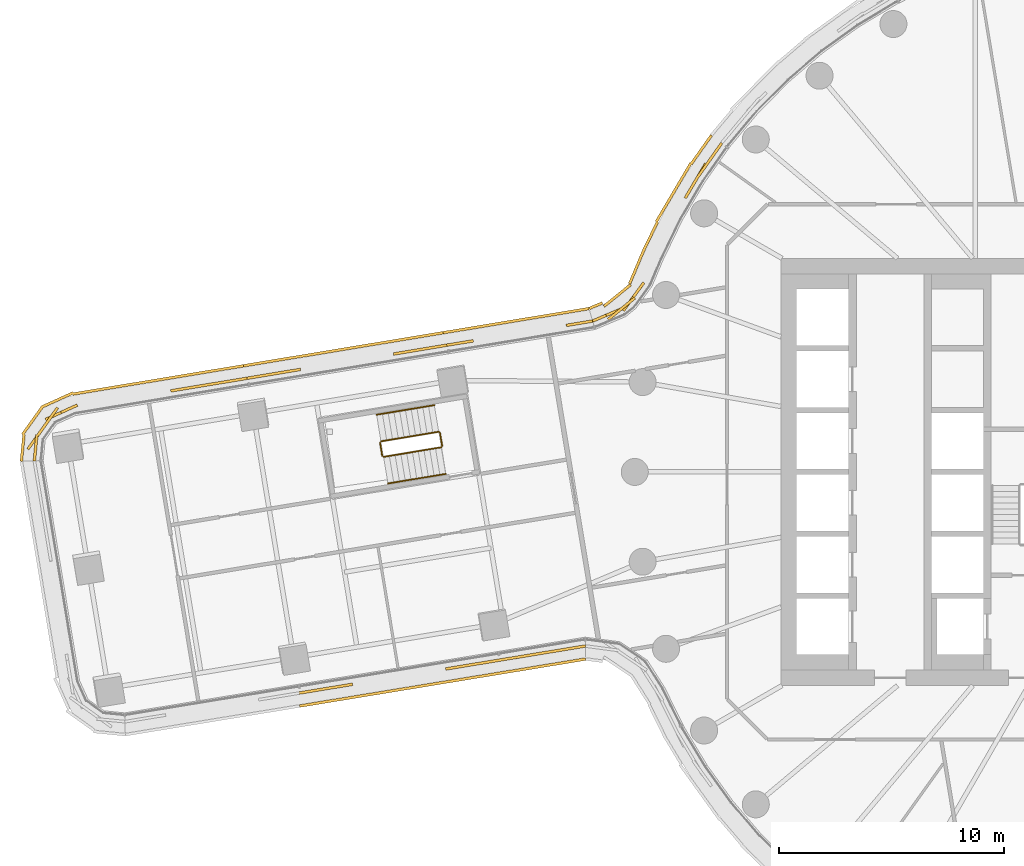
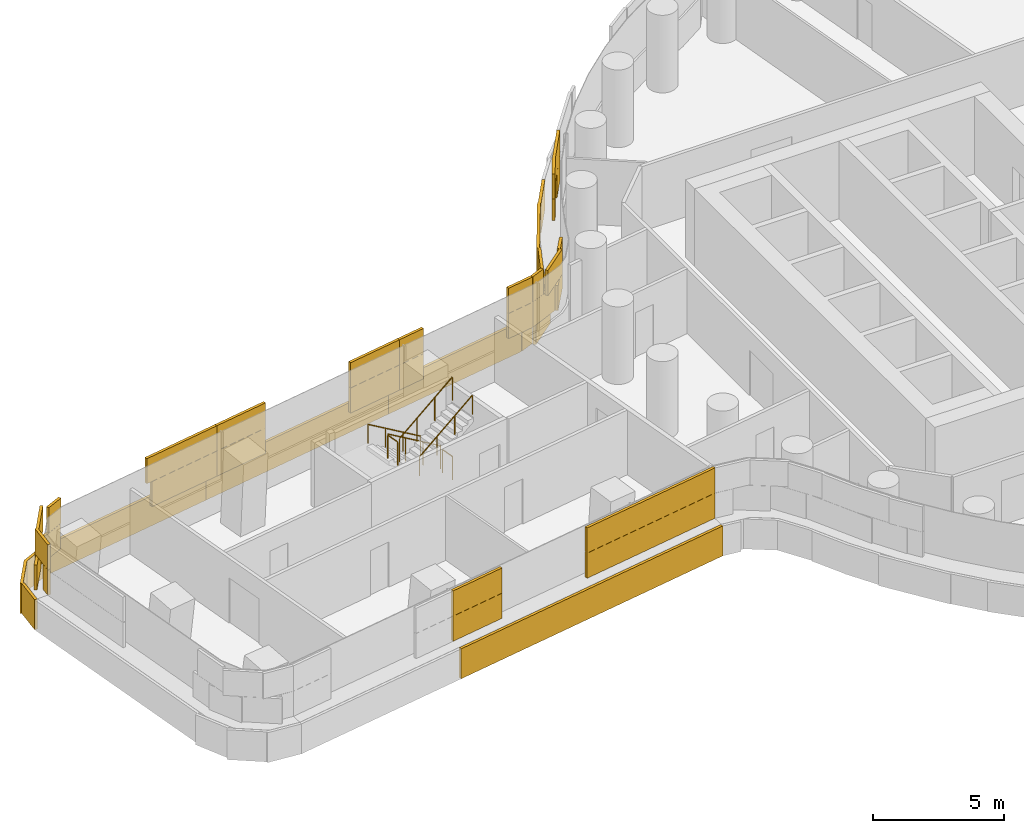
# One storey, part 28 of 32: 6 railings, 5 coverings.
"""IFC4 building model written with IfcOpenShell, lengths in metres."""

from ifc_helpers import new_model, si_unit, direction, frame, origin, origin_2d, place, context, subcontext, project, spatial, rectangle, circle, extrude, material, layer, layer_set, type_object, element, save


model = new_model("IFC4")

# Units and contexts
model_context = context("Model", 3, precision=1e-05, world=origin(), true_north=direction((0.0, 1.0)))
body_context = subcontext(model_context, "Body", "Model", "MODEL_VIEW")
ifc_project = project(units=[si_unit("LENGTHUNIT", "METRE"), si_unit("AREAUNIT", "SQUARE_METRE"), si_unit("VOLUMEUNIT", "CUBIC_METRE"), si_unit("PLANEANGLEUNIT", "RADIAN"), si_unit("MASSUNIT", "GRAM", prefix="KILO")], contexts=[model_context])

# Site, building, storey
site_placement = place(None, origin())
site = spatial("IfcSite", under=ifc_project, at=site_placement, CompositionType="ELEMENT")
building_placement = place(site_placement, origin())
building = spatial("IfcBuilding", under=site, at=building_placement, Name="Tamarind Cross Interchange Tower", CompositionType="ELEMENT")
storey_placement = place(building_placement, frame((0.0, 0.0, 67.75)))
storey = spatial("IfcBuildingStorey", under=building, at=storey_placement, Name="L15", CompositionType="ELEMENT", Elevation=67.75)

# Railings
ifc_material_1 = material(Name="Stair guard")
railing_type_1 = type_object("IfcRailingType", Name="Stair guard", PredefinedType="GUARDRAIL", material=ifc_material_1)
railing_1_placement = place(storey_placement, frame((-31.722412109375, 1.78564453125, 0.17041015625)))
element("IfcRailing", 1, at=railing_1_placement, inside=storey, type_object=railing_type_1, Name="L15 ST5 stair guard 1", PredefinedType="GUARDRAIL", context=body_context, shape_type="SweptSolid", body=[
    extrude(circle(Radius=0.02392578125, at=origin_2d()), frame((0.0, 0.0, 1.076171875), z_axis=(-0.82504245151, -0.136643238685, 0.548300627874), x_axis=(0.163393869779, -0.986560917186, 0.0)), (0.0, 0.0, 1.0), 3.10888671875),
    extrude(circle(Radius=0.02099609375, at=origin_2d()), origin(), (0.0, 0.0, 1.0), 1.052001953125),
    extrude(circle(Radius=0.02099609375, at=origin_2d()), frame((-0.85498046875, -0.1416015625, 0.568115234375)), (0.0, 0.0, 1.0), 1.052001953125),
    extrude(circle(Radius=0.02099609375, at=origin_2d()), frame((-1.7099609375, -0.283203125, 1.136474609375)), (0.0, 0.0, 1.0), 1.052001953125),
    extrude(circle(Radius=0.02099609375, at=origin_2d()), frame((-2.56494140625, -0.4248046875, 1.70458984375)), (0.0, 0.0, 1.0), 1.052001953125),
])
railing_2_placement = place(storey_placement, frame((-34.32861328125, 1.30322265625, 1.875)))
element("IfcRailing", 2, at=railing_2_placement, inside=storey, type_object=railing_type_1, Name="L15 ST5 stair guard 2", PredefinedType="GUARDRAIL", context=body_context, shape_type="SweptSolid", body=[
    extrude(circle(Radius=0.02392578125, at=origin_2d()), frame((0.0, 0.0, 1.076171875), z_axis=(0.163606968355, -0.986525600228, 0.0), x_axis=(0.986525600228, 0.163606968355, 0.0)), (0.0, 0.0, 1.0), 0.599853515625),
    extrude(circle(Radius=0.02099609375, at=origin_2d()), origin(), (0.0, 0.0, 1.0), 1.052001953125),
    extrude(circle(Radius=0.02099609375, at=origin_2d()), frame((0.09814453125, -0.591796875, 0.0)), (0.0, 0.0, 1.0), 1.052001953125),
])
railing_3_placement = place(storey_placement, frame((-34.173095703125, 0.670166015625, 2.04541015625)))
element("IfcRailing", 3, at=railing_3_placement, inside=storey, type_object=railing_type_1, Name="L15 ST5 stair guard 3", PredefinedType="GUARDRAIL", context=body_context, shape_type="SweptSolid", body=[
    extrude(circle(Radius=0.02392578125, at=origin_2d()), frame((0.0, 0.0, 1.076171875), z_axis=(0.825067524282, 0.136634385862, 0.548265104648), x_axis=(-0.163378733941, 0.986563423859, 0.0)), (0.0, 0.0, 1.0), 3.109130859375),
    extrude(circle(Radius=0.02099609375, at=origin_2d()), origin(), (0.0, 0.0, 1.0), 1.052001953125),
    extrude(circle(Radius=0.02099609375, at=origin_2d()), frame((0.85498046875, 0.1416015625, 0.568115234375)), (0.0, 0.0, 1.0), 1.052001953125),
    extrude(circle(Radius=0.02099609375, at=origin_2d()), frame((1.710205078125, 0.283203125, 1.136474609375)), (0.0, 0.0, 1.0), 1.052001953125),
    extrude(circle(Radius=0.02099609375, at=origin_2d()), frame((2.565185546875, 0.4248046875, 1.70458984375)), (0.0, 0.0, 1.0), 1.052001953125),
])
railing_4_placement = place(storey_placement, frame((-31.664794921875, 1.744384765625, 0.0)))
element("IfcRailing", 4, at=railing_4_placement, inside=storey, type_object=railing_type_1, Name="L15 ST5 stair guard 4", PredefinedType="GUARDRAIL", context=body_context, shape_type="SweptSolid", body=[
    extrude(circle(Radius=0.02392578125, at=origin_2d()), frame((0.0, 0.0, 1.076171875), z_axis=(0.163145328408, -0.986602048355, 0.0), x_axis=(0.986602048355, 0.163145328408, 0.0)), (0.0, 0.0, 1.0), 0.60009765625),
    extrude(circle(Radius=0.02099609375, at=origin_2d()), origin(), (0.0, 0.0, 1.0), 1.052001953125),
    extrude(circle(Radius=0.02099609375, at=origin_2d()), frame((0.097900390625, -0.592041015625, 0.0)), (0.0, 0.0, 1.0), 1.052001953125),
])
ifc_material_2 = material(Name="Stair handrail")
railing_type_2 = type_object("IfcRailingType", Name="Stair handrail", PredefinedType="HANDRAIL", material=ifc_material_2)
railing_5_placement = place(storey_placement, frame((-31.91845703125, 2.969482421875, 0.17041015625)))
element("IfcRailing", 5, at=railing_5_placement, inside=storey, type_object=railing_type_2, Name="L15 ST5 stair handrail 1", PredefinedType="HANDRAIL", context=body_context, shape_type="SweptSolid", body=[
    extrude(circle(Radius=0.02392578125, at=origin_2d()), frame((0.0, 0.0, 0.8759765625), z_axis=(-0.82504245151, -0.136643238685, 0.548300627874), x_axis=(0.163393869779, -0.986560917186, 0.0)), (0.0, 0.0, 1.0), 3.10888671875),
    extrude(circle(Radius=0.02099609375, at=origin_2d()), origin(), (0.0, 0.0, 1.0), 0.851806640625),
    extrude(circle(Radius=0.02099609375, at=origin_2d()), frame((-0.85498046875, -0.1416015625, 0.568115234375)), (0.0, 0.0, 1.0), 0.851806640625),
    extrude(circle(Radius=0.02099609375, at=origin_2d()), frame((-1.7099609375, -0.283203125, 1.136474609375)), (0.0, 0.0, 1.0), 0.851806640625),
    extrude(circle(Radius=0.02099609375, at=origin_2d()), frame((-2.56494140625, -0.4248046875, 1.70458984375)), (0.0, 0.0, 1.0), 0.851806640625),
])
railing_6_placement = place(storey_placement, frame((-33.97705078125, -0.513671875, 2.04541015625)))
element("IfcRailing", 6, at=railing_6_placement, inside=storey, type_object=railing_type_2, Name="L15 ST5 stair handrail 2", PredefinedType="HANDRAIL", context=body_context, shape_type="SweptSolid", body=[
    extrude(circle(Radius=0.02392578125, at=origin_2d()), frame((0.0, 0.0, 0.8759765625), z_axis=(0.825067524282, 0.136634385862, 0.548265104648), x_axis=(-0.163378733941, 0.986563423859, 0.0)), (0.0, 0.0, 1.0), 3.109130859375),
    extrude(circle(Radius=0.02099609375, at=origin_2d()), origin(), (0.0, 0.0, 1.0), 0.851806640625),
    extrude(circle(Radius=0.02099609375, at=origin_2d()), frame((0.85498046875, 0.1416015625, 0.568115234375)), (0.0, 0.0, 1.0), 0.851806640625),
    extrude(circle(Radius=0.02099609375, at=origin_2d()), frame((1.710205078125, 0.283203125, 1.136474609375)), (0.0, 0.0, 1.0), 0.851806640625),
    extrude(circle(Radius=0.02099609375, at=origin_2d()), frame((2.565185546875, 0.4248046875, 1.70458984375)), (0.0, 0.0, 1.0), 0.851806640625),
])

# Coverings
ifc_material_3 = material(Name="Terracotta", Category="masonry")
ifc_layer = layer(ifc_material_3, 0.1201171875)
ifc_layer_set = layer_set([ifc_layer], Name="Terracotta")
covering_type = type_object("IfcCoveringType", Name="Terracotta baguette screen unit", PredefinedType="MOLDING", material=ifc_layer_set)
covering_1_placement = place(storey_placement, origin())
element("IfcCovering", 7, at=covering_1_placement, inside=storey, type_object=covering_type, Name="SCR-L15-02-01", PredefinedType="MOLDING", context=body_context, shape_type="SweptSolid", body=[
    extrude(rectangle(XDim=1.171875, YDim=0.1201171875, at=origin_2d()), frame((-19.4716796875, 14.1455078125, 1.404052734375), z_axis=(0.0, 0.0, 1.0), x_axis=(-0.577568978284, -0.816341886298, 0.0)), (0.0, 0.0, 1.0), 1.1669921875),
    extrude(rectangle(XDim=1.52001953125, YDim=0.1201171875, at=origin_2d()), frame((-20.238037109375, 13.057373046875, 1.404052734375), z_axis=(0.0, 0.0, 1.0), x_axis=(-0.508183308752, -0.861248933065, 0.0)), (0.0, 0.0, 1.0), 1.1669921875),
    extrude(rectangle(XDim=1.52001953125, YDim=0.1201171875, at=origin_2d()), frame((-23.063232421875, 7.782958984375, 1.404052734375), z_axis=(0.0, 0.0, 1.0), x_axis=(-0.58970450953, -0.807619088086, 0.0)), (0.0, 0.0, 1.0), 1.1669921875),
    extrude(rectangle(XDim=1.40771484375, YDim=0.1201171875, at=origin_2d()), frame((-24.23193359375, 6.98193359375, 1.404052734375), z_axis=(0.0, 0.0, 1.0), x_axis=(-0.921404179617, -0.388605632724, 0.0)), (0.0, 0.0, 1.0), 1.1669921875),
    extrude(rectangle(XDim=0.421875, YDim=0.1201171875, at=origin_2d()), frame((-19.255126953125, 14.451416015625, 2.5791015625), z_axis=(0.0, 0.0, 1.0), x_axis=(-0.577568978284, -0.816341886298, 0.0)), (0.0, 0.0, 1.0), 1.1669921875),
    extrude(rectangle(XDim=1.52001953125, YDim=0.1201171875, at=origin_2d()), frame((-19.80712890625, 13.671142578125, 2.5791015625), z_axis=(0.0, 0.0, 1.0), x_axis=(-0.577568978284, -0.816341886298, 0.0)), (0.0, 0.0, 1.0), 1.1669921875),
    extrude(rectangle(XDim=1.02783203125, YDim=0.1201171875, at=origin_2d()), frame((-20.49658203125, 12.618896484375, 2.5791015625), z_axis=(0.0, 0.0, 1.0), x_axis=(-0.508183308752, -0.861248933065, 0.0)), (0.0, 0.0, 1.0), 1.1669921875),
    extrude(rectangle(XDim=0.7919921875, YDim=0.1201171875, at=origin_2d()), frame((-22.832763671875, 8.098876953125, 2.5791015625), z_axis=(0.0, 0.0, 1.0), x_axis=(-0.58970450953, -0.807619088086, 0.0)), (0.0, 0.0, 1.0), 1.1669921875),
    extrude(rectangle(XDim=1.52001953125, YDim=0.1201171875, at=origin_2d()), frame((-23.591064453125, 7.258544921875, 2.5791015625), z_axis=(0.0, 0.0, 1.0), x_axis=(-0.776665689347, -0.629913015417, 0.0)), (0.0, 0.0, 1.0), 1.1669921875),
    extrude(rectangle(XDim=0.65771484375, YDim=0.1201171875, at=origin_2d()), frame((-24.577392578125, 6.836181640625, 2.5791015625), z_axis=(0.0, 0.0, 1.0), x_axis=(-0.921404179617, -0.388605632724, 0.0)), (0.0, 0.0, 1.0), 1.1669921875),
    extrude(rectangle(XDim=0.06396484375, YDim=0.1201171875, at=origin_2d()), frame((-19.61083984375, 14.9423828125, 0.00390625), z_axis=(0.0, 0.0, 1.0), x_axis=(-0.577568978284, -0.816341886298, 0.0)), (0.0, 0.0, 1.0), 1.39208984375),
    extrude(rectangle(XDim=1.52001953125, YDim=0.1201171875, at=origin_2d()), frame((-20.056884765625, 14.31201171875, 0.00390625), z_axis=(0.0, 0.0, 1.0), x_axis=(-0.577568978284, -0.816341886298, 0.0)), (0.0, 0.0, 1.0), 1.39208984375),
    extrude(rectangle(XDim=1.52001953125, YDim=0.1201171875, at=origin_2d()), frame((-20.896728515625, 13.070556640625, 0.00390625), z_axis=(0.0, 0.0, 1.0), x_axis=(-0.508183308752, -0.861248933065, 0.0)), (0.0, 0.0, 1.0), 1.39208984375),
    extrude(rectangle(XDim=1.52001953125, YDim=0.1201171875, at=origin_2d()), frame((-21.658935546875, 11.778564453125, 0.00390625), z_axis=(0.0, 0.0, 1.0), x_axis=(-0.508183308752, -0.861248933065, 0.0)), (0.0, 0.0, 1.0), 1.39208984375),
    extrude(rectangle(XDim=1.52001953125, YDim=0.1201171875, at=origin_2d()), frame((-22.323486328125, 10.434326171875, 0.00390625), z_axis=(0.0, 0.0, 1.0), x_axis=(-0.435326231914, -0.900272776334, 0.0)), (0.0, 0.0, 1.0), 1.39208984375),
    extrude(rectangle(XDim=1.52001953125, YDim=0.1201171875, at=origin_2d()), frame((-22.938232421875, 9.066650390625, 0.00390625), z_axis=(0.0, 0.0, 1.0), x_axis=(-0.388422416362, -0.921481430343, 0.0)), (0.0, 0.0, 1.0), 1.39208984375),
    extrude(rectangle(XDim=1.52001953125, YDim=0.1201171875, at=origin_2d()), frame((-23.78125, 7.84326171875, 0.00390625), z_axis=(0.0, 0.0, 1.0), x_axis=(-0.776665689347, -0.629913015417, 0.0)), (0.0, 0.0, 1.0), 1.39208984375),
    extrude(rectangle(XDim=0.647705078125, YDim=0.1201171875, at=origin_2d()), frame((-24.73828125, 7.391357421875, 0.00390625), z_axis=(0.0, 0.0, 1.0), x_axis=(-0.921404179617, -0.388605632724, 0.0)), (0.0, 0.0, 1.0), 1.39208984375),
])
covering_2_placement = place(storey_placement, origin())
element("IfcCovering", 8, at=covering_2_placement, inside=storey, type_object=covering_type, Name="SCR-L15-03-00", PredefinedType="MOLDING", context=body_context, shape_type="SweptSolid", body=[
    extrude(rectangle(XDim=0.760009765625, YDim=0.1201171875, at=origin_2d()), frame((-25.245849609375, 6.64892578125, 1.404052734375), z_axis=(0.0, 0.0, 1.0), x_axis=(-0.986563038226, -0.163381062571, 0.0)), (0.0, 0.0, 1.0), 1.1669921875),
    extrude(rectangle(XDim=0.445068359375, YDim=0.1201171875, at=origin_2d()), frame((-25.830322265625, 6.55224609375, 1.404052734375), z_axis=(0.0, 0.0, 1.0), x_axis=(-0.986563038226, -0.163381062571, 0.0)), (0.0, 0.0, 1.0), 1.1669921875),
    extrude(rectangle(XDim=1.18505859375, YDim=0.1201171875, at=origin_2d()), frame((-30.773193359375, 5.733642578125, 1.404052734375), z_axis=(0.0, 0.0, 1.0), x_axis=(-0.986563038226, -0.163381062571, 0.0)), (0.0, 0.0, 1.0), 1.1669921875),
    extrude(rectangle(XDim=1.18505859375, YDim=0.1201171875, at=origin_2d()), frame((-25.46044921875, 6.613525390625, 2.5791015625), z_axis=(0.0, 0.0, 1.0), x_axis=(-0.986563038226, -0.163381062571, 0.0)), (0.0, 0.0, 1.0), 1.1669921875),
    extrude(rectangle(XDim=0.625, YDim=0.1201171875, at=origin_2d()), frame((-30.491943359375, 5.7802734375, 2.5791015625), z_axis=(0.0, 0.0, 1.0), x_axis=(-0.986563038226, -0.163381062571, 0.0)), (0.0, 0.0, 1.0), 1.1669921875),
    extrude(rectangle(XDim=0.579833984375, YDim=0.1201171875, at=origin_2d()), frame((-31.076416015625, 5.683349609375, 2.5791015625), z_axis=(0.0, 0.0, 1.0), x_axis=(-0.986563038226, -0.163381062571, 0.0)), (0.0, 0.0, 1.0), 1.1669921875),
    extrude(rectangle(XDim=0.760009765625, YDim=0.1201171875, at=origin_2d()), frame((-25.411376953125, 7.203369140625, 0.00390625), z_axis=(0.0, 0.0, 1.0), x_axis=(-0.986563038226, -0.163381062571, 0.0)), (0.0, 0.0, 1.0), 1.39208984375),
    extrude(rectangle(XDim=1.52001953125, YDim=0.1201171875, at=origin_2d()), frame((-26.516357421875, 7.0205078125, 0.00390625), z_axis=(0.0, 0.0, 1.0), x_axis=(-0.986563038226, -0.163381062571, 0.0)), (0.0, 0.0, 1.0), 1.39208984375),
    extrude(rectangle(XDim=1.52001953125, YDim=0.1201171875, at=origin_2d()), frame((-27.996337890625, 6.775390625, 0.00390625), z_axis=(0.0, 0.0, 1.0), x_axis=(-0.986563038226, -0.163381062571, 0.0)), (0.0, 0.0, 1.0), 1.39208984375),
    extrude(rectangle(XDim=1.52001953125, YDim=0.1201171875, at=origin_2d()), frame((-29.47607421875, 6.5302734375, 0.00390625), z_axis=(0.0, 0.0, 1.0), x_axis=(-0.986563038226, -0.163381062571, 0.0)), (0.0, 0.0, 1.0), 1.39208984375),
    extrude(rectangle(XDim=1.33203125, YDim=0.1201171875, at=origin_2d()), frame((-30.86328125, 6.300537109375, 0.00390625), z_axis=(0.0, 0.0, 1.0), x_axis=(-0.986563038226, -0.163381062571, 0.0)), (0.0, 0.0, 1.0), 1.39208984375),
])
covering_3_placement = place(storey_placement, origin())
element("IfcCovering", 9, at=covering_3_placement, inside=storey, type_object=covering_type, Name="SCR-L15-03-01", PredefinedType="MOLDING", context=body_context, shape_type="SweptSolid", body=[
    extrude(rectangle(XDim=0.18994140625, YDim=0.1201171875, at=origin_2d()), frame((-31.446533203125, 5.6220703125, 1.404052734375), z_axis=(0.0, 0.0, 1.0), x_axis=(-0.986563038226, -0.163381062571, 0.0)), (0.0, 0.0, 1.0), 1.1669921875),
    extrude(rectangle(XDim=1.52001953125, YDim=0.1201171875, at=origin_2d()), frame((-32.275146484375, 5.48486328125, 1.404052734375), z_axis=(0.0, 0.0, 1.0), x_axis=(-0.986563038226, -0.163381062571, 0.0)), (0.0, 0.0, 1.0), 1.1669921875),
    extrude(rectangle(XDim=0.730224609375, YDim=0.1201171875, at=origin_2d()), frame((-33.370361328125, 5.303466796875, 1.404052734375), z_axis=(0.0, 0.0, 1.0), x_axis=(-0.986563038226, -0.163381062571, 0.0)), (0.0, 0.0, 1.0), 1.1669921875),
    extrude(rectangle(XDim=1.08984375, YDim=0.1201171875, at=origin_2d()), frame((-38.40185546875, 4.47021484375, 1.404052734375), z_axis=(0.0, 0.0, 1.0), x_axis=(-0.986563038226, -0.163381062571, 0.0)), (0.0, 0.0, 1.0), 1.1669921875),
    extrude(rectangle(XDim=1.330322265625, YDim=0.1201171875, at=origin_2d()), frame((-39.585693359375, 4.274169921875, 1.404052734375), z_axis=(0.0, 0.0, 1.0), x_axis=(-0.986563038226, -0.163381062571, 0.0)), (0.0, 0.0, 1.0), 1.1669921875),
    extrude(rectangle(XDim=0.93994140625, YDim=0.1201171875, at=origin_2d()), frame((-31.81640625, 5.560791015625, 2.5791015625), z_axis=(0.0, 0.0, 1.0), x_axis=(-0.986563038226, -0.163381062571, 0.0)), (0.0, 0.0, 1.0), 1.1669921875),
    extrude(rectangle(XDim=1.480224609375, YDim=0.1201171875, at=origin_2d()), frame((-33.00048828125, 5.36474609375, 2.5791015625), z_axis=(0.0, 0.0, 1.0), x_axis=(-0.986563038226, -0.163381062571, 0.0)), (0.0, 0.0, 1.0), 1.1669921875),
    extrude(rectangle(XDim=0.33984375, YDim=0.1201171875, at=origin_2d()), frame((-38.031982421875, 4.531494140625, 2.5791015625), z_axis=(0.0, 0.0, 1.0), x_axis=(-0.986563038226, -0.163381062571, 0.0)), (0.0, 0.0, 1.0), 1.1669921875),
    extrude(rectangle(XDim=1.52001953125, YDim=0.1201171875, at=origin_2d()), frame((-38.9345703125, 4.382080078125, 2.5791015625), z_axis=(0.0, 0.0, 1.0), x_axis=(-0.986563038226, -0.163381062571, 0.0)), (0.0, 0.0, 1.0), 1.1669921875),
    extrude(rectangle(XDim=0.580322265625, YDim=0.1201171875, at=origin_2d()), frame((-39.955810546875, 4.212890625, 2.5791015625), z_axis=(0.0, 0.0, 1.0), x_axis=(-0.986563038226, -0.163381062571, 0.0)), (0.0, 0.0, 1.0), 1.1669921875),
    extrude(rectangle(XDim=0.18798828125, YDim=0.1201171875, at=origin_2d()), frame((-31.613037109375, 6.176513671875, 0.00390625), z_axis=(0.0, 0.0, 1.0), x_axis=(-0.986563038226, -0.163381062571, 0.0)), (0.0, 0.0, 1.0), 1.39208984375),
    extrude(rectangle(XDim=1.52001953125, YDim=0.1201171875, at=origin_2d()), frame((-32.435791015625, 6.0400390625, 0.00390625), z_axis=(0.0, 0.0, 1.0), x_axis=(-0.986563038226, -0.163381062571, 0.0)), (0.0, 0.0, 1.0), 1.39208984375),
    extrude(rectangle(XDim=1.52001953125, YDim=0.1201171875, at=origin_2d()), frame((-33.915771484375, 5.795166015625, 0.00390625), z_axis=(0.0, 0.0, 1.0), x_axis=(-0.986563038226, -0.163381062571, 0.0)), (0.0, 0.0, 1.0), 1.39208984375),
    extrude(rectangle(XDim=1.52001953125, YDim=0.1201171875, at=origin_2d()), frame((-35.3955078125, 5.550048828125, 0.00390625), z_axis=(0.0, 0.0, 1.0), x_axis=(-0.986563038226, -0.163381062571, 0.0)), (0.0, 0.0, 1.0), 1.39208984375),
    extrude(rectangle(XDim=1.52001953125, YDim=0.1201171875, at=origin_2d()), frame((-36.875244140625, 5.304931640625, 0.00390625), z_axis=(0.0, 0.0, 1.0), x_axis=(-0.986563038226, -0.163381062571, 0.0)), (0.0, 0.0, 1.0), 1.39208984375),
    extrude(rectangle(XDim=1.52001953125, YDim=0.1201171875, at=origin_2d()), frame((-38.355224609375, 5.059814453125, 0.00390625), z_axis=(0.0, 0.0, 1.0), x_axis=(-0.986563038226, -0.163381062571, 0.0)), (0.0, 0.0, 1.0), 1.39208984375),
    extrude(rectangle(XDim=1.335693359375, YDim=0.1201171875, at=origin_2d()), frame((-39.744140625, 4.829833984375, 0.00390625), z_axis=(0.0, 0.0, 1.0), x_axis=(-0.986563038226, -0.163381062571, 0.0)), (0.0, 0.0, 1.0), 1.39208984375),
])
covering_4_placement = place(storey_placement, origin())
element("IfcCovering", 10, at=covering_4_placement, inside=storey, type_object=covering_type, Name="SCR-L15-03-02", PredefinedType="MOLDING", context=body_context, shape_type="SweptSolid", body=[
    extrude(rectangle(XDim=0.189697265625, YDim=0.1201171875, at=origin_2d()), frame((-40.32568359375, 4.151611328125, 1.404052734375), z_axis=(0.0, 0.0, 1.0), x_axis=(-0.986563038226, -0.163381062571, 0.0)), (0.0, 0.0, 1.0), 1.1669921875),
    extrude(rectangle(XDim=1.52001953125, YDim=0.1201171875, at=origin_2d()), frame((-41.154296875, 4.014404296875, 1.404052734375), z_axis=(0.0, 0.0, 1.0), x_axis=(-0.986563038226, -0.163381062571, 0.0)), (0.0, 0.0, 1.0), 1.1669921875),
    extrude(rectangle(XDim=1.52001953125, YDim=0.1201171875, at=origin_2d()), frame((-42.634033203125, 3.76953125, 1.404052734375), z_axis=(0.0, 0.0, 1.0), x_axis=(-0.986563038226, -0.163381062571, 0.0)), (0.0, 0.0, 1.0), 1.1669921875),
    extrude(rectangle(XDim=1.52001953125, YDim=0.1201171875, at=origin_2d()), frame((-48.51025390625, 2.64697265625, 1.404052734375), z_axis=(0.0, 0.0, 1.0), x_axis=(-0.910660587282, -0.413155291351, 0.0)), (0.0, 0.0, 1.0), 1.1669921875),
    extrude(rectangle(XDim=1.52001953125, YDim=0.1201171875, at=origin_2d()), frame((-49.548583984375, 1.62841796875, 1.404052734375), z_axis=(0.0, 0.0, 1.0), x_axis=(-0.582077557136, -0.813133271659, 0.0)), (0.0, 0.0, 1.0), 1.1669921875),
    extrude(rectangle(XDim=0.417236328125, YDim=0.1201171875, at=origin_2d()), frame((-49.68310546875, 0.69482421875, 1.404052734375), z_axis=(0.0, 0.0, 1.0), x_axis=(-0.097527315623, -0.995232848487, 0.0)), (0.0, 0.0, 1.0), 1.1669921875),
    extrude(rectangle(XDim=0.939697265625, YDim=0.1201171875, at=origin_2d()), frame((-40.69580078125, 4.09033203125, 2.5791015625), z_axis=(0.0, 0.0, 1.0), x_axis=(-0.986563038226, -0.163381062571, 0.0)), (0.0, 0.0, 1.0), 1.1669921875),
    extrude(rectangle(XDim=1.52001953125, YDim=0.1201171875, at=origin_2d()), frame((-41.894287109375, 3.891845703125, 2.5791015625), z_axis=(0.0, 0.0, 1.0), x_axis=(-0.986563038226, -0.163381062571, 0.0)), (0.0, 0.0, 1.0), 1.1669921875),
    extrude(rectangle(XDim=1.023681640625, YDim=0.1201171875, at=origin_2d()), frame((-43.13427734375, 3.6865234375, 2.5791015625), z_axis=(0.0, 0.0, 1.0), x_axis=(-0.986563038226, -0.163381062571, 0.0)), (0.0, 0.0, 1.0), 1.1669921875),
    extrude(rectangle(XDim=0.796142578125, YDim=0.1201171875, at=origin_2d()), frame((-48.15234375, 2.8095703125, 2.5791015625), z_axis=(0.0, 0.0, 1.0), x_axis=(-0.910660587282, -0.413155291351, 0.0)), (0.0, 0.0, 1.0), 1.1669921875),
    extrude(rectangle(XDim=1.52001953125, YDim=0.1201171875, at=origin_2d()), frame((-49.112060546875, 2.23828125, 2.5791015625), z_axis=(0.0, 0.0, 1.0), x_axis=(-0.582077557136, -0.813133271659, 0.0)), (0.0, 0.0, 1.0), 1.1669921875),
    extrude(rectangle(XDim=1.167236328125, YDim=0.1201171875, at=origin_2d()), frame((-49.646484375, 1.068115234375, 2.5791015625), z_axis=(0.0, 0.0, 1.0), x_axis=(-0.097527315623, -0.995232848487, 0.0)), (0.0, 0.0, 1.0), 1.1669921875),
    extrude(rectangle(XDim=0.184326171875, YDim=0.1201171875, at=origin_2d()), frame((-40.493896484375, 4.70556640625, 0.00390625), z_axis=(0.0, 0.0, 1.0), x_axis=(-0.986563038226, -0.163381062571, 0.0)), (0.0, 0.0, 1.0), 1.39208984375),
    extrude(rectangle(XDim=1.52001953125, YDim=0.1201171875, at=origin_2d()), frame((-41.31494140625, 4.56982421875, 0.00390625), z_axis=(0.0, 0.0, 1.0), x_axis=(-0.986563038226, -0.163381062571, 0.0)), (0.0, 0.0, 1.0), 1.39208984375),
    extrude(rectangle(XDim=1.52001953125, YDim=0.1201171875, at=origin_2d()), frame((-42.794677734375, 4.32470703125, 0.00390625), z_axis=(0.0, 0.0, 1.0), x_axis=(-0.986563038226, -0.163381062571, 0.0)), (0.0, 0.0, 1.0), 1.39208984375),
    extrude(rectangle(XDim=1.52001953125, YDim=0.1201171875, at=origin_2d()), frame((-44.274658203125, 4.07958984375, 0.00390625), z_axis=(0.0, 0.0, 1.0), x_axis=(-0.986563038226, -0.163381062571, 0.0)), (0.0, 0.0, 1.0), 1.39208984375),
    extrude(rectangle(XDim=1.52001953125, YDim=0.1201171875, at=origin_2d()), frame((-45.75439453125, 3.83447265625, 0.00390625), z_axis=(0.0, 0.0, 1.0), x_axis=(-0.986563038226, -0.163381062571, 0.0)), (0.0, 0.0, 1.0), 1.39208984375),
    extrude(rectangle(XDim=1.52001953125, YDim=0.1201171875, at=origin_2d()), frame((-47.234130859375, 3.58935546875, 0.00390625), z_axis=(0.0, 0.0, 1.0), x_axis=(-0.986563038226, -0.163381062571, 0.0)), (0.0, 0.0, 1.0), 1.39208984375),
    extrude(rectangle(XDim=1.52001953125, YDim=0.1201171875, at=origin_2d()), frame((-48.671630859375, 3.204345703125, 0.00390625), z_axis=(0.0, 0.0, 1.0), x_axis=(-0.910660587282, -0.413155291351, 0.0)), (0.0, 0.0, 1.0), 1.39208984375),
    extrude(rectangle(XDim=1.52001953125, YDim=0.1201171875, at=origin_2d()), frame((-49.78759765625, 2.2802734375, 0.00390625), z_axis=(0.0, 0.0, 1.0), x_axis=(-0.582077557136, -0.813133271659, 0.0)), (0.0, 0.0, 1.0), 1.39208984375),
    extrude(rectangle(XDim=1.19140625, YDim=0.1201171875, at=origin_2d()), frame((-50.2236328125, 1.06591796875, 0.00390625), z_axis=(0.0, 0.0, 1.0), x_axis=(-0.097527315623, -0.995232848487, 0.0)), (0.0, 0.0, 1.0), 1.39208984375),
])
covering_5_placement = place(storey_placement, origin())
element("IfcCovering", 11, at=covering_5_placement, inside=storey, type_object=covering_type, Name="SCR-L15-05-01", PredefinedType="MOLDING", context=body_context, shape_type="SweptSolid", body=[
    extrude(rectangle(XDim=0.400390625, YDim=0.1201171875, at=origin_2d()), frame((-37.727294921875, -9.80126953125, 1.404052734375), z_axis=(0.0, 0.0, 1.0), x_axis=(0.986763854922, 0.162163789482, 0.0)), (0.0, 0.0, 1.0), 1.1669921875),
    extrude(rectangle(XDim=1.52001953125, YDim=0.1201171875, at=origin_2d()), frame((-36.794677734375, -9.64794921875, 1.404052734375), z_axis=(0.0, 0.0, 1.0), x_axis=(0.986763854922, 0.162163789482, 0.0)), (0.0, 0.0, 1.0), 1.1669921875),
    extrude(rectangle(XDim=0.519287109375, YDim=0.1201171875, at=origin_2d()), frame((-35.803466796875, -9.48486328125, 1.404052734375), z_axis=(0.0, 0.0, 1.0), x_axis=(0.986763854922, 0.162163789482, 0.0)), (0.0, 0.0, 1.0), 1.1669921875),
    extrude(rectangle(XDim=1.300537109375, YDim=0.1201171875, at=origin_2d()), frame((-30.770751953125, -8.657958984375, 1.404052734375), z_axis=(0.0, 0.0, 1.0), x_axis=(0.986763854922, 0.162163789482, 0.0)), (0.0, 0.0, 1.0), 1.1669921875),
    extrude(rectangle(XDim=1.52001953125, YDim=0.1201171875, at=origin_2d()), frame((-29.39404296875, -8.431640625, 1.404052734375), z_axis=(0.0, 0.0, 1.0), x_axis=(0.986763854922, 0.162163789482, 0.0)), (0.0, 0.0, 1.0), 1.1669921875),
    extrude(rectangle(XDim=1.52001953125, YDim=0.1201171875, at=origin_2d()), frame((-27.913818359375, -8.1884765625, 1.404052734375), z_axis=(0.0, 0.0, 1.0), x_axis=(0.986763854922, 0.162163789482, 0.0)), (0.0, 0.0, 1.0), 1.1669921875),
    extrude(rectangle(XDim=1.52001953125, YDim=0.1201171875, at=origin_2d()), frame((-26.43359375, -7.945068359375, 1.404052734375), z_axis=(0.0, 0.0, 1.0), x_axis=(0.986763854922, 0.162163789482, 0.0)), (0.0, 0.0, 1.0), 1.1669921875),
    extrude(rectangle(XDim=0.511962890625, YDim=0.1201171875, at=origin_2d()), frame((-25.446044921875, -7.782958984375, 1.404052734375), z_axis=(0.0, 0.0, 1.0), x_axis=(0.986763854922, 0.162163789482, 0.0)), (0.0, 0.0, 1.0), 1.1669921875),
    extrude(rectangle(XDim=1.150390625, YDim=0.1201171875, at=origin_2d()), frame((-37.357421875, -9.740478515625, 2.5791015625), z_axis=(0.0, 0.0, 1.0), x_axis=(0.986763854922, 0.162163789482, 0.0)), (0.0, 0.0, 1.0), 1.1669921875),
    extrude(rectangle(XDim=1.269287109375, YDim=0.1201171875, at=origin_2d()), frame((-36.17333984375, -9.5458984375, 2.5791015625), z_axis=(0.0, 0.0, 1.0), x_axis=(0.986763854922, 0.162163789482, 0.0)), (0.0, 0.0, 1.0), 1.1669921875),
    extrude(rectangle(XDim=0.550537109375, YDim=0.1201171875, at=origin_2d()), frame((-31.140869140625, -8.71875, 2.5791015625), z_axis=(0.0, 0.0, 1.0), x_axis=(0.986763854922, 0.162163789482, 0.0)), (0.0, 0.0, 1.0), 1.1669921875),
    extrude(rectangle(XDim=1.52001953125, YDim=0.1201171875, at=origin_2d()), frame((-30.134033203125, -8.55322265625, 2.5791015625), z_axis=(0.0, 0.0, 1.0), x_axis=(0.986763854922, 0.162163789482, 0.0)), (0.0, 0.0, 1.0), 1.1669921875),
    extrude(rectangle(XDim=1.52001953125, YDim=0.1201171875, at=origin_2d()), frame((-28.654052734375, -8.31005859375, 2.5791015625), z_axis=(0.0, 0.0, 1.0), x_axis=(0.986763854922, 0.162163789482, 0.0)), (0.0, 0.0, 1.0), 1.1669921875),
    extrude(rectangle(XDim=1.52001953125, YDim=0.1201171875, at=origin_2d()), frame((-27.173828125, -8.06689453125, 2.5791015625), z_axis=(0.0, 0.0, 1.0), x_axis=(0.986763854922, 0.162163789482, 0.0)), (0.0, 0.0, 1.0), 1.1669921875),
    extrude(rectangle(XDim=1.261962890625, YDim=0.1201171875, at=origin_2d()), frame((-25.81591796875, -7.84375, 2.5791015625), z_axis=(0.0, 0.0, 1.0), x_axis=(0.986763854922, 0.162163789482, 0.0)), (0.0, 0.0, 1.0), 1.1669921875),
    extrude(rectangle(XDim=0.404052734375, YDim=0.1201171875, at=origin_2d()), frame((-37.70556640625, -10.37939453125, 0.00390625), z_axis=(0.0, 0.0, 1.0), x_axis=(0.986763854922, 0.162163789482, 0.0)), (0.0, 0.0, 1.0), 1.39208984375),
    extrude(rectangle(XDim=1.52001953125, YDim=0.1201171875, at=origin_2d()), frame((-36.77587890625, -10.2265625, 0.00390625), z_axis=(0.0, 0.0, 1.0), x_axis=(0.986763854922, 0.162163789482, 0.0)), (0.0, 0.0, 1.0), 1.39208984375),
    extrude(rectangle(XDim=1.52001953125, YDim=0.1201171875, at=origin_2d()), frame((-35.295654296875, -9.983154296875, 0.00390625), z_axis=(0.0, 0.0, 1.0), x_axis=(0.986763854922, 0.162163789482, 0.0)), (0.0, 0.0, 1.0), 1.39208984375),
    extrude(rectangle(XDim=1.52001953125, YDim=0.1201171875, at=origin_2d()), frame((-33.815673828125, -9.739990234375, 0.00390625), z_axis=(0.0, 0.0, 1.0), x_axis=(0.986763854922, 0.162163789482, 0.0)), (0.0, 0.0, 1.0), 1.39208984375),
    extrude(rectangle(XDim=1.52001953125, YDim=0.1201171875, at=origin_2d()), frame((-32.33544921875, -9.496826171875, 0.00390625), z_axis=(0.0, 0.0, 1.0), x_axis=(0.986763854922, 0.162163789482, 0.0)), (0.0, 0.0, 1.0), 1.39208984375),
    extrude(rectangle(XDim=1.52001953125, YDim=0.1201171875, at=origin_2d()), frame((-30.855224609375, -9.25341796875, 0.00390625), z_axis=(0.0, 0.0, 1.0), x_axis=(0.986763854922, 0.162163789482, 0.0)), (0.0, 0.0, 1.0), 1.39208984375),
    extrude(rectangle(XDim=1.52001953125, YDim=0.1201171875, at=origin_2d()), frame((-29.375244140625, -9.01025390625, 0.00390625), z_axis=(0.0, 0.0, 1.0), x_axis=(0.986763854922, 0.162163789482, 0.0)), (0.0, 0.0, 1.0), 1.39208984375),
    extrude(rectangle(XDim=1.52001953125, YDim=0.1201171875, at=origin_2d()), frame((-27.89501953125, -8.76708984375, 0.00390625), z_axis=(0.0, 0.0, 1.0), x_axis=(0.986763854922, 0.162163789482, 0.0)), (0.0, 0.0, 1.0), 1.39208984375),
    extrude(rectangle(XDim=1.52001953125, YDim=0.1201171875, at=origin_2d()), frame((-26.414794921875, -8.523681640625, 0.00390625), z_axis=(0.0, 0.0, 1.0), x_axis=(0.986763854922, 0.162163789482, 0.0)), (0.0, 0.0, 1.0), 1.39208984375),
    extrude(rectangle(XDim=0.501708984375, YDim=0.1201171875, at=origin_2d()), frame((-25.43701171875, -8.363037109375, 0.00390625), z_axis=(0.0, 0.0, 1.0), x_axis=(0.986763854922, 0.162163789482, 0.0)), (0.0, 0.0, 1.0), 1.39208984375),
])

save(model, "model.ifc")
